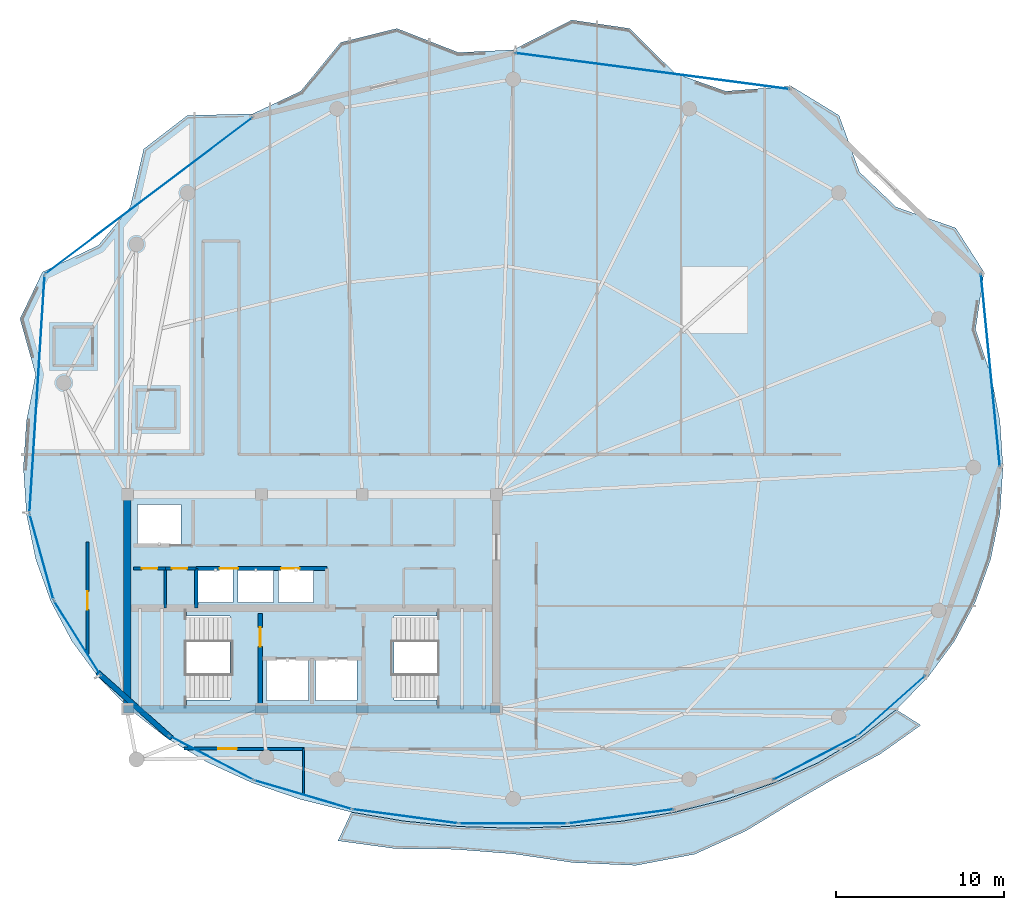
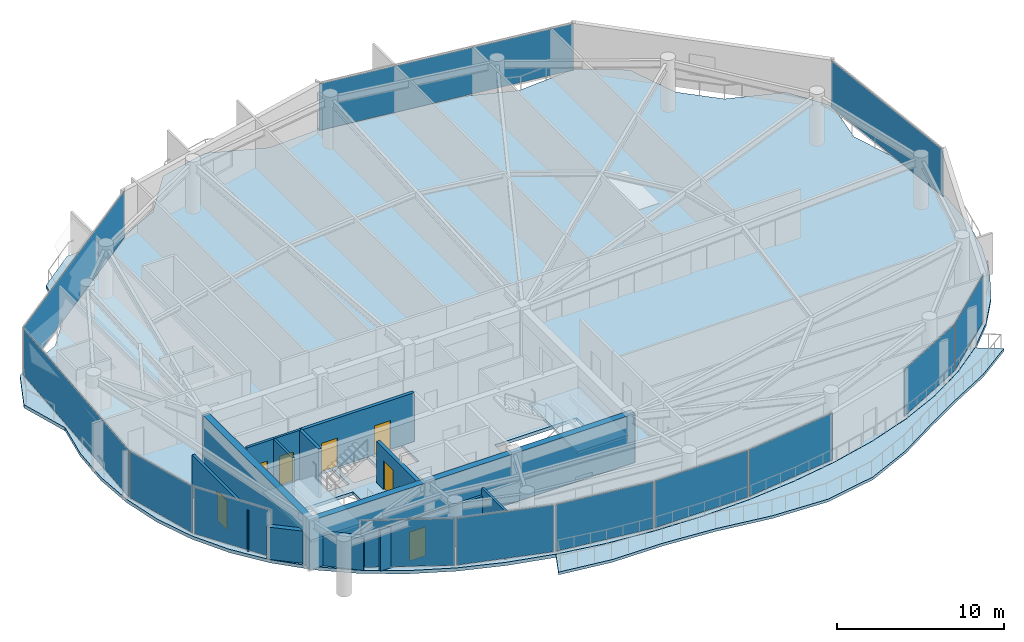
# One storey, part 24 of 30: 13 plates, 12 walls, 7 doors, 4 slabs, 7 openings, 15 elements without a shape of their own.
"""IFC4 building model written with IfcOpenShell, lengths in metres."""

from ifc_helpers import new_model, si_unit, direction, frame, frame_2d, origin, origin_2d, place, context, subcontext, project, spatial, polyline, rectangle, outline, extrude, material, layer, layer_set, type_object, element, fill, aggregate, save


model = new_model("IFC4")

# Units and contexts
model_context = context("Model", 3, precision=1e-05, world=origin(), true_north=direction((0.0, 1.0)))
body_context = subcontext(model_context, "Body", "Model", "MODEL_VIEW")
ifc_project = project(units=[si_unit("LENGTHUNIT", "METRE"), si_unit("AREAUNIT", "SQUARE_METRE"), si_unit("VOLUMEUNIT", "CUBIC_METRE"), si_unit("PLANEANGLEUNIT", "RADIAN"), si_unit("MASSUNIT", "GRAM", prefix="KILO")], contexts=[model_context])

# Site, building, storey
site_placement = place(None, origin())
site = spatial("IfcSite", under=ifc_project, at=site_placement, CompositionType="ELEMENT")
building_placement = place(site_placement, origin())
building = spatial("IfcBuilding", under=site, at=building_placement, Name="Kazevale Care Tower and Concert Hall", CompositionType="ELEMENT")
storey_placement = place(building_placement, frame((0.0, 0.0, 258.60009765625)))
storey = spatial("IfcBuildingStorey", under=building, at=storey_placement, Name="L68", CompositionType="ELEMENT", Elevation=258.60009765625)

# Curtain wall, plate
ifc_material_1 = material(Name="Aluminium 6063-T6 and Low-E Glass", Category="aluminium")
ifc_layer_1 = layer(ifc_material_1, 0.179931640625)
ifc_layer_set_1 = layer_set([ifc_layer_1], Name="Aluminium 6063-T6 and Low-E Glass")
curtain_wall_type_1 = type_object("IfcCurtainWallType", Name="Waist & Upper Residential Curtain Wall CW-4", PredefinedType="NOTDEFINED", material=ifc_layer_set_1)
curtain_wall_1_placement = place(storey_placement, origin())
curtain_wall_1 = element("IfcCurtainWall", 1, at=curtain_wall_1_placement, inside=storey, type_object=curtain_wall_type_1, Name="cw:L68:f11", PredefinedType="NOTDEFINED")
ifc_material_2 = material(Name="Low-E Laminated Glass", Category="glass")
ifc_layer_2 = layer(ifc_material_2, 0.030029296875)
ifc_layer_set_2 = layer_set([ifc_layer_2], Name="Low-E Laminated Glass")
plate_type_1 = type_object("IfcPlateType", Name="CW-4 Low-E Glazing Panel 30mm", PredefinedType="CURTAIN_PANEL", material=ifc_layer_set_2)
plate_1_placement = place(storey_placement, frame((19.008544921875, 27.85205078125, 0.079833984375), z_axis=(0.0, 0.0, 1.0), x_axis=(-0.532074560711, 0.846697503152, 0.0)))
plate_1 = element("IfcPlate", 2, at=plate_1_placement, type_object=plate_type_1, Name="CW-4 panel 1.1", PredefinedType="CURTAIN_PANEL", context=body_context, shape_type="SweptSolid", body=[
    extrude(rectangle(XDim=5.119384765625, YDim=0.030029296875, at=origin_2d()), origin(), (0.0, 0.0, 1.0), 3.39990234375),
])
aggregate(curtain_wall_1, [plate_1])

curtain_wall_2_placement = place(storey_placement, origin())
curtain_wall_2 = element("IfcCurtainWall", 3, at=curtain_wall_2_placement, inside=storey, type_object=curtain_wall_type_1, Name="cw:L68:f12", PredefinedType="NOTDEFINED")
plate_2_placement = place(storey_placement, frame((16.883056640625, 32.67041015625, 0.079833984375), z_axis=(0.0, 0.0, 1.0), x_axis=(-0.268807011704, 0.963194056491, 0.0)))
plate_2 = element("IfcPlate", 4, at=plate_2_placement, type_object=plate_type_1, Name="CW-4 panel 1.1", PredefinedType="CURTAIN_PANEL", context=body_context, shape_type="SweptSolid", body=[
    extrude(rectangle(XDim=5.204345703125, YDim=0.030029296875, at=origin_2d()), origin(), (0.0, 0.0, 1.0), 3.39990234375),
])
aggregate(curtain_wall_2, [plate_2])

curtain_wall_3_placement = place(storey_placement, origin())
curtain_wall_3 = element("IfcCurtainWall", 5, at=curtain_wall_3_placement, inside=storey, type_object=curtain_wall_type_1, Name="cw:L68:f13", PredefinedType="NOTDEFINED")
plate_3_placement = place(storey_placement, frame((16.615966796875, 42.384521484375, 0.079833984375), z_axis=(0.0, 0.0, 1.0), x_axis=(0.063541484604, 0.997979198047, 0.0)))
plate_3 = element("IfcPlate", 6, at=plate_3_placement, type_object=plate_type_1, Name="CW-4 panel 1.1", PredefinedType="CURTAIN_PANEL", context=body_context, shape_type="SweptSolid", body=[
    extrude(rectangle(XDim=14.1298828125, YDim=0.030029296875, at=origin_2d()), origin(), (0.0, 0.0, 1.0), 3.39990234375),
])
aggregate(curtain_wall_3, [plate_3])

curtain_wall_4_placement = place(storey_placement, origin())
curtain_wall_4 = element("IfcCurtainWall", 7, at=curtain_wall_4_placement, inside=storey, type_object=curtain_wall_type_1, Name="cw:L68:f14", PredefinedType="NOTDEFINED")
plate_4_placement = place(storey_placement, frame((23.28857421875, 54.20947265625, 0.079833984375), z_axis=(0.0, 0.0, 1.0), x_axis=(0.798109382952, 0.602512583142, 0.0)))
plate_4 = element("IfcPlate", 8, at=plate_4_placement, type_object=plate_type_1, Name="CW-4 panel 1.1", PredefinedType="CURTAIN_PANEL", context=body_context, shape_type="SweptSolid", body=[
    extrude(rectangle(XDim=15.423095703125, YDim=0.030029296875, at=origin_2d()), origin(), (0.0, 0.0, 1.0), 3.39990234375),
])
aggregate(curtain_wall_4, [plate_4])

curtain_wall_5_placement = place(storey_placement, origin())
curtain_wall_5 = element("IfcCurtainWall", 9, at=curtain_wall_5_placement, inside=storey, type_object=curtain_wall_type_1, Name="cw:L68:f16", PredefinedType="NOTDEFINED")
plate_5_placement = place(storey_placement, frame((53.2880859375, 61.636474609375, 0.079833984375), z_axis=(0.0, 0.0, 1.0), x_axis=(0.99143626895, -0.130591441567, 0.0)))
plate_5 = element("IfcPlate", 10, at=plate_5_placement, type_object=plate_type_1, Name="CW-4 panel 1.1", PredefinedType="CURTAIN_PANEL", context=body_context, shape_type="SweptSolid", body=[
    extrude(rectangle(XDim=16.46435546875, YDim=0.030029296875, at=origin_2d()), origin(), (0.0, 0.0, 1.0), 3.39990234375),
])
aggregate(curtain_wall_5, [plate_5])

curtain_wall_6_placement = place(storey_placement, origin())
curtain_wall_6 = element("IfcCurtainWall", 11, at=curtain_wall_6_placement, inside=storey, type_object=curtain_wall_type_1, Name="cw:L68:f18", PredefinedType="NOTDEFINED")
plate_6_placement = place(storey_placement, frame((73.448486328125, 43.804443359375, 0.079833984375), z_axis=(0.0, 0.0, 1.0), x_axis=(0.097984308555, -0.995187959773, 0.0)))
plate_6 = element("IfcPlate", 12, at=plate_6_placement, type_object=plate_type_1, Name="CW-4 panel 1.1", PredefinedType="CURTAIN_PANEL", context=body_context, shape_type="SweptSolid", body=[
    extrude(rectangle(XDim=11.505126953125, YDim=0.030029296875, at=origin_2d()), origin(), (0.0, 0.0, 1.0), 3.39990234375),
])
aggregate(curtain_wall_6, [plate_6])

ifc_layer_3 = layer(ifc_material_1, 0.179931640625)
ifc_layer_set_3 = layer_set([ifc_layer_3], Name="Aluminium 6063-T6 and Low-E Glass")
curtain_wall_type_2 = type_object("IfcCurtainWallType", Name="Sheltered Concave Balcony Curtain Wall CW-5", PredefinedType="NOTDEFINED", material=ifc_layer_set_3)
curtain_wall_7_placement = place(storey_placement, origin())
curtain_wall_7 = element("IfcCurtainWall", 13, at=curtain_wall_7_placement, inside=storey, type_object=curtain_wall_type_2, Name="cw:L68:f02", PredefinedType="NOTDEFINED")
ifc_layer_4 = layer(ifc_material_2, 0.02587890625)
ifc_layer_set_4 = layer_set([ifc_layer_4], Name="Low-E Laminated Glass")
plate_type_2 = type_object("IfcPlateType", Name="CW-5 Low-E Glazing Panel 26mm", PredefinedType="CURTAIN_PANEL", material=ifc_layer_set_4)
plate_7_placement = place(storey_placement, frame((67.56640625, 23.819580078125, 0.07470703125), z_axis=(0.0, 0.0, 1.0), x_axis=(-0.747133834563, -0.664673629123, 0.0)))
plate_7 = element("IfcPlate", 14, at=plate_7_placement, type_object=plate_type_2, Name="CW-5 panel 1.1", PredefinedType="CURTAIN_PANEL", context=body_context, shape_type="SweptSolid", body=[
    extrude(rectangle(XDim=5.2587890625, YDim=0.02587890625, at=origin_2d()), origin(), (0.0, 0.0, 1.0), 3.409912109375),
])
aggregate(curtain_wall_7, [plate_7])

curtain_wall_8_placement = place(storey_placement, origin())
curtain_wall_8 = element("IfcCurtainWall", 15, at=curtain_wall_8_placement, inside=storey, type_object=curtain_wall_type_2, Name="cw:L68:f03", PredefinedType="NOTDEFINED")
plate_8_placement = place(storey_placement, frame((63.007568359375, 20.693603515625, 0.07470703125), z_axis=(0.0, 0.0, 1.0), x_axis=(-0.886002261972, -0.463680915912, 0.0)))
plate_8 = element("IfcPlate", 16, at=plate_8_placement, type_object=plate_type_2, Name="CW-5 panel 1.1", PredefinedType="CURTAIN_PANEL", context=body_context, shape_type="SweptSolid", body=[
    extrude(rectangle(XDim=5.580322265625, YDim=0.02587890625, at=origin_2d()), origin(), (0.0, 0.0, 1.0), 3.409912109375),
])
aggregate(curtain_wall_8, [plate_8])

curtain_wall_9_placement = place(storey_placement, origin())
curtain_wall_9 = element("IfcCurtainWall", 17, at=curtain_wall_9_placement, inside=storey, type_object=curtain_wall_type_2, Name="cw:L68:f05", PredefinedType="NOTDEFINED")
plate_9_placement = place(storey_placement, frame((51.4326171875, 17.20947265625, 0.07470703125), z_axis=(0.0, 0.0, 1.0), x_axis=(-0.991177380664, -0.132542069018, 0.0)))
plate_9 = element("IfcPlate", 18, at=plate_9_placement, type_object=plate_type_2, Name="CW-5 panel 1.1", PredefinedType="CURTAIN_PANEL", context=body_context, shape_type="SweptSolid", body=[
    extrude(rectangle(XDim=6.255615234375, YDim=0.02587890625, at=origin_2d()), origin(), (0.0, 0.0, 1.0), 3.409912109375),
])
aggregate(curtain_wall_9, [plate_9])

curtain_wall_10_placement = place(storey_placement, origin())
curtain_wall_10 = element("IfcCurtainWall", 19, at=curtain_wall_10_placement, inside=storey, type_object=curtain_wall_type_2, Name="cw:L68:f06", PredefinedType="NOTDEFINED")
plate_10_placement = place(storey_placement, frame((45.0, 16.784912109375, 0.07470703125), z_axis=(0.0, 0.0, 1.0), x_axis=(-1.0, 0.0, 0.0)))
plate_10 = element("IfcPlate", 20, at=plate_10_placement, type_object=plate_type_2, Name="CW-5 panel 1.1", PredefinedType="CURTAIN_PANEL", context=body_context, shape_type="SweptSolid", body=[
    extrude(rectangle(XDim=6.365966796875, YDim=0.02587890625, at=origin_2d()), origin(), (0.0, 0.0, 1.0), 3.409912109375),
])
aggregate(curtain_wall_10, [plate_10])

curtain_wall_11_placement = place(storey_placement, origin())
curtain_wall_11 = element("IfcCurtainWall", 21, at=curtain_wall_11_placement, inside=storey, type_object=curtain_wall_type_2, Name="cw:L68:f07", PredefinedType="NOTDEFINED")
plate_11_placement = place(storey_placement, frame((38.5673828125, 17.20947265625, 0.07470703125), z_axis=(0.0, 0.0, 1.0), x_axis=(-0.991177380664, 0.132542069018, 0.0)))
plate_11 = element("IfcPlate", 22, at=plate_11_placement, type_object=plate_type_2, Name="CW-5 panel 1.1", PredefinedType="CURTAIN_PANEL", context=body_context, shape_type="SweptSolid", body=[
    extrude(rectangle(XDim=6.255615234375, YDim=0.02587890625, at=origin_2d()), origin(), (0.0, 0.0, 1.0), 3.409912109375),
])
aggregate(curtain_wall_11, [plate_11])

curtain_wall_12_placement = place(storey_placement, origin())
curtain_wall_12 = element("IfcCurtainWall", 23, at=curtain_wall_12_placement, inside=storey, type_object=curtain_wall_type_2, Name="cw:L68:f08", PredefinedType="NOTDEFINED")
plate_12_placement = place(storey_placement, frame((32.4619140625, 18.49951171875, 0.07470703125), z_axis=(0.0, 0.0, 1.0), x_axis=(-0.959060133902, 0.283202506274, 0.0)))
plate_12 = element("IfcPlate", 24, at=plate_12_placement, type_object=plate_type_2, Name="CW-5 panel 1.1", PredefinedType="CURTAIN_PANEL", context=body_context, shape_type="SweptSolid", body=[
    extrude(rectangle(XDim=5.962158203125, YDim=0.02587890625, at=origin_2d()), origin(), (0.0, 0.0, 1.0), 3.409912109375),
])
aggregate(curtain_wall_12, [plate_12])

curtain_wall_13_placement = place(storey_placement, origin())
curtain_wall_13 = element("IfcCurtainWall", 25, at=curtain_wall_13_placement, inside=storey, type_object=curtain_wall_type_2, Name="cw:L68:f09", PredefinedType="NOTDEFINED")
plate_13_placement = place(storey_placement, frame((26.992431640625, 20.693603515625, 0.07470703125), z_axis=(0.0, 0.0, 1.0), x_axis=(-0.886002261972, 0.463680915912, 0.0)))
plate_13 = element("IfcPlate", 26, at=plate_13_placement, type_object=plate_type_2, Name="CW-5 panel 1.1", PredefinedType="CURTAIN_PANEL", context=body_context, shape_type="SweptSolid", body=[
    extrude(rectangle(XDim=5.580322265625, YDim=0.02587890625, at=origin_2d()), origin(), (0.0, 0.0, 1.0), 3.409912109375),
])
aggregate(curtain_wall_13, [plate_13])

# Slab
ifc_material_3 = material(Name="Concrete C40", Category="concrete")
ifc_layer_5 = layer(ifc_material_3, 0.199951171875)
ifc_layer_set_5 = layer_set([ifc_layer_5], Name="Concrete C40")
slab_type_1 = type_object("IfcSlabType", Name="Sinusoidal Concave Balcony Slab 200", PredefinedType="USERDEFINED", material=ifc_layer_set_5)
slab_1_placement = place(storey_placement, frame((0.0, 0.0, -0.2001953125)))
element("IfcSlab", 27, at=slab_1_placement, inside=storey, type_object=slab_type_1, Name="slab:L68:bal", ObjectType="BALCONY", PredefinedType="USERDEFINED", context=body_context, shape_type="SweptSolid", body=[
    extrude(outline(polyline([(69.298828125, 22.640380859375), (66.871826171875, 20.916748046875), (64.177490234375, 19.477294921875), (61.552001953125, 17.966552734375), (58.870361328125, 16.33740234375), (55.821044921875, 14.9501953125), (52.3115234375, 14.283203125), (48.599365234375, 14.446044921875), (45.0, 14.97119140625), (41.5224609375, 15.243408203125), (37.995849609375, 15.2802734375), (34.554443359375, 15.75), (35.353759765625, 17.45263671875), (35.35498046875, 17.452392578125), (38.501708984375, 16.918212890625), (41.730224609375, 16.6005859375), (45.0, 16.4951171875), (48.269775390625, 16.6005859375), (51.498291015625, 16.918212890625), (54.64501953125, 17.452392578125), (57.6708984375, 18.208251953125), (60.537109375, 19.192626953125), (63.208251953125, 20.411376953125), (65.650390625, 21.868896484375), (67.832763671875, 23.5654296875), (67.833740234375, 23.56640625), (69.298828125, 22.640380859375)])), origin(), (0.0, 0.0, 1.0), 0.2001953125),
])

# Stair, slab
stair_type = type_object("IfcStairType", Name="Exit Stair Assembly ST1-U", PredefinedType="HALF_TURN_STAIR", material=ifc_material_3)
stair_1_placement = place(storey_placement, origin())
stair_1 = element("IfcStair", 28, at=stair_1_placement, inside=storey, type_object=stair_type, Name="stair:L68:ST1", PredefinedType="HALF_TURN_STAIR")
ifc_layer_6 = layer(ifc_material_3, 0.199951171875)
ifc_layer_set_6 = layer_set([ifc_layer_6], Name="Concrete C40")
slab_type_2 = type_object("IfcSlabType", Name="Stair Half-Landing Slab ST1-U", PredefinedType="LANDING", material=ifc_layer_set_6)
slab_2_placement = place(storey_placement, frame((0.0, 0.0, 1.699951171875)))
slab_2 = element("IfcSlab", 29, at=slab_2_placement, type_object=slab_type_2, Name="ST1-U landing 1", PredefinedType="LANDING", context=body_context, shape_type="SweptSolid", body=[
    extrude(outline(polyline([(22.050048828125, 23.699951171875), (25.530029296875, 23.699951171875), (25.530029296875, 29.5), (22.050048828125, 29.5), (22.050048828125, 23.699951171875)])), origin(), (0.0, 0.0, 1.0), 0.199951171875),
])
aggregate(stair_1, [slab_2])

stair_2_placement = place(storey_placement, origin())
stair_2 = element("IfcStair", 30, at=stair_2_placement, inside=storey, type_object=stair_type, Name="stair:L68:ST2", PredefinedType="HALF_TURN_STAIR")
slab_3_placement = place(storey_placement, frame((0.0, 0.0, 1.699951171875)))
slab_3 = element("IfcSlab", 31, at=slab_3_placement, type_object=slab_type_2, Name="ST1-U landing 1", PredefinedType="LANDING", context=body_context, shape_type="SweptSolid", body=[
    extrude(outline(polyline([(40.469970703125, 23.699951171875), (43.949951171875, 23.699951171875), (43.949951171875, 29.5), (40.469970703125, 29.5), (40.469970703125, 23.699951171875)])), origin(), (0.0, 0.0, 1.0), 0.199951171875),
])
aggregate(stair_2, [slab_3])

# Slab
ifc_layer_7 = layer(ifc_material_3, 0.239990234375)
ifc_layer_set_7 = layer_set([ifc_layer_7], Name="Concrete C40")
slab_type_3 = type_object("IfcSlabType", Name="Tower Typical Floor Slab 240", PredefinedType="FLOOR", material=ifc_layer_set_7)
slab_4_placement = place(storey_placement, frame((0.0, 0.0, -0.239990234375)))
element("IfcSlab", 32, at=slab_4_placement, inside=storey, type_object=slab_type_3, Name="slab:L68:tw:1", PredefinedType="FLOOR", context=body_context, shape_type="SweptSolid", body=[
    extrude(outline(polyline([(74.199951171875, 38.0), (74.016357421875, 40.787841796875), (73.468017578125, 43.540771484375), (72.561279296875, 46.223876953125), (73.065185546875, 49.64990234375), (71.37548828125, 52.28515625), (67.82958984375, 53.52490234375), (65.6474609375, 55.60693359375), (64.421630859375, 58.9921875), (61.57275390625, 60.734619140625), (57.66943359375, 60.43408203125), (54.64404296875, 61.502685546875), (51.931396484375, 64.1767578125), (48.48779296875, 64.68115234375), (45.0, 62.89990234375), (41.730712890625, 62.743408203125), (38.068603515625, 64.1767578125), (34.7119140625, 63.34326171875), (32.33056640625, 60.43408203125), (29.464599609375, 59.08349609375), (25.578369140625, 58.9921875), (22.9736328125, 56.98583984375), (22.17041015625, 53.52490234375), (20.275634765625, 51.24755859375), (16.934814453125, 49.64990234375), (15.597900390625, 46.867919921875), (16.531982421875, 43.540771484375), (15.983642578125, 40.787841796875), (15.800048828125, 38.0), (15.983642578125, 35.229736328125), (16.531982421875, 32.551513671875), (17.438720703125, 30.01416015625), (18.691650390625, 27.654541015625), (20.275634765625, 25.5), (22.17041015625, 23.569091796875), (24.3525390625, 21.873046875), (26.794189453125, 20.415771484375), (29.464599609375, 19.197265625), (32.33056640625, 18.212890625), (35.35595703125, 17.457275390625), (38.50244140625, 16.92333984375), (41.730712890625, 16.60546875), (45.0, 16.5), (48.269287109375, 16.60546875), (51.49755859375, 16.92333984375), (54.64404296875, 17.457275390625), (57.66943359375, 18.212890625), (60.535400390625, 19.197265625), (63.205810546875, 20.415771484375), (65.6474609375, 21.873046875), (67.82958984375, 23.569091796875), (69.724365234375, 25.5), (71.308349609375, 27.654541015625), (72.561279296875, 30.01416015625), (73.468017578125, 32.551513671875), (74.016357421875, 35.229736328125), (74.199951171875, 38.0)]), holes=[polyline([(22.449951171875, 24.14990234375), (28.110107421875, 24.14990234375), (28.110107421875, 29.14990234375), (22.449951171875, 29.14990234375), (22.449951171875, 24.14990234375)]), polyline([(37.889892578125, 24.14990234375), (43.550048828125, 24.14990234375), (43.550048828125, 29.14990234375), (37.889892578125, 29.14990234375), (37.889892578125, 24.14990234375)]), polyline([(30.300048828125, 24.10009765625), (32.800048828125, 24.10009765625), (32.800048828125, 26.60009765625), (30.300048828125, 26.60009765625), (30.300048828125, 24.10009765625)]), polyline([(33.199951171875, 24.10009765625), (35.699951171875, 24.10009765625), (35.699951171875, 26.60009765625), (33.199951171875, 26.60009765625), (33.199951171875, 24.10009765625)]), polyline([(22.60009765625, 33.39990234375), (25.199951171875, 33.39990234375), (25.199951171875, 35.800048828125), (22.60009765625, 35.800048828125), (22.60009765625, 33.39990234375)]), polyline([(26.199951171875, 29.949951171875), (28.300048828125, 29.949951171875), (28.300048828125, 31.949951171875), (26.199951171875, 31.949951171875), (26.199951171875, 29.949951171875)]), polyline([(28.60009765625, 29.949951171875), (30.699951171875, 29.949951171875), (30.699951171875, 31.949951171875), (28.60009765625, 31.949951171875), (28.60009765625, 29.949951171875)]), polyline([(31.0, 29.949951171875), (33.10009765625, 29.949951171875), (33.10009765625, 31.949951171875), (31.0, 31.949951171875), (31.0, 29.949951171875)])]), origin(), (0.0, 0.0, 1.0), 0.239990234375),
])

# Walls
ifc_material_4 = material(Name="Acoustic Gypsum on Steel Stud", Category="steel")
ifc_layer_8 = layer(ifc_material_4, 0.139892578125)
ifc_layer_set_8 = layer_set([ifc_layer_8], Name="Acoustic Gypsum on Steel Stud")
wall_type_1 = type_object("IfcWallType", Name="Acoustic Care & Suite Partition 140", PredefinedType="PARTITIONING", material=ifc_layer_set_8)
wall_1_placement = place(storey_placement, frame((32.5, 21.2548828125, 0.0), z_axis=(0.0, 0.0, 1.0), x_axis=(0.0, -1.0, 0.0)))
element("IfcWall", 33, at=wall_1_placement, inside=storey, type_object=wall_type_1, Name="wall:L68:auto_035", PredefinedType="PARTITIONING", context=body_context, shape_type="SweptSolid", body=[
    extrude(rectangle(XDim=2.756591796875, YDim=0.139892578125, at=frame_2d((1.37841796875, 0.0))), origin(), (0.0, 0.0, 1.0), 3.559814453125),
])
ifc_material_5 = material(Name="Concrete C50", Category="concrete")
ifc_layer_9 = layer(ifc_material_5, 0.449951171875)
ifc_layer_set_9 = layer_set([ifc_layer_9], Name="Concrete C50")
wall_type_2 = type_object("IfcWallType", Name="Core Shear Wall 450 C50", PredefinedType="SHEAR", material=ifc_layer_set_9)
wall_2_placement = place(storey_placement, frame((21.77490234375, 23.60009765625, 0.0), z_axis=(0.0, 0.0, 1.0), x_axis=(1.0, 0.0, 0.0)))
element("IfcWall", 34, at=wall_2_placement, inside=storey, type_object=wall_type_2, Name="wall:L68:core:S", PredefinedType="SHEAR", context=body_context, shape_type="SweptSolid", body=[
    extrude(rectangle(XDim=22.4501953125, YDim=0.449951171875, at=frame_2d((11.22509765625, 0.0))), origin(), (0.0, 0.0, 1.0), 3.559814453125),
])
wall_3_placement = place(storey_placement, frame((22.0, 23.824951171875, 0.0), z_axis=(0.0, 0.0, 1.0), x_axis=(0.0, 1.0, 0.0)))
element("IfcWall", 35, at=wall_3_placement, inside=storey, type_object=wall_type_2, Name="wall:L68:core:W", PredefinedType="SHEAR", context=body_context, shape_type="SweptSolid", body=[
    extrude(rectangle(XDim=12.35009765625, YDim=0.449951171875, at=frame_2d((6.175048828125, 0.0))), origin(), (0.0, 0.0, 1.0), 3.559814453125),
])
ifc_layer_10 = layer(ifc_material_3, 0.219970703125)
ifc_layer_set_10 = layer_set([ifc_layer_10], Name="Concrete C40")
wall_type_3 = type_object("IfcWallType", Name="Elevator Hoistway Shaft Wall 220", PredefinedType="SOLIDWALL", material=ifc_layer_set_10)
wall_4_placement = place(storey_placement, frame((26.10009765625, 29.6201171875, 0.0), z_axis=(0.0, 0.0, 1.0), x_axis=(0.0, 1.0, 0.0)))
element("IfcWall", 36, at=wall_4_placement, inside=storey, type_object=wall_type_3, Name="wall:L68:c_ph_w", PredefinedType="SOLIDWALL", context=body_context, shape_type="SweptSolid", body=[
    extrude(rectangle(XDim=2.35986328125, YDim=0.219970703125, at=frame_2d((1.179931640625, 0.0))), origin(), (0.0, 0.0, 1.0), 3.559814453125),
])

# Wall, openings, doors
wall_5_placement = place(storey_placement, frame((26.10009765625, 31.97998046875, 0.0), z_axis=(0.0, 0.0, 1.0), x_axis=(1.0, 0.0, 0.0)))
wall_5 = element("IfcWall", 37, at=wall_5_placement, inside=storey, type_object=wall_type_3, Name="wall:L68:c_ph_n", PredefinedType="SOLIDWALL", context=body_context, shape_type="SweptSolid", body=[
    extrude(rectangle(XDim=7.7998046875, YDim=0.219970703125, at=frame_2d((3.89990234375, 0.0))), origin(), (0.0, 0.0, 1.0), 3.559814453125),
])
opening_1_placement = place(wall_5_placement, frame((1.39990234375, 0.0, 0.0)))
opening_1 = element("IfcOpeningElement", 38, at=opening_1_placement, cuts=wall_5, Name="Opening LD-PAX", PredefinedType="OPENING", context=body_context, shape_type="SweptSolid", body=[
    extrude(rectangle(XDim=1.10009765625, YDim=2.10009765625, at=frame_2d((0.550048828125, 1.050048828125))), frame((0.0, 0.119873046875, 0.0), z_axis=(0.0, -1.0, 0.0), x_axis=(1.0, 0.0, 0.0)), (0.0, 0.0, 1.0), 0.239990234375),
])
opening_2_placement = place(wall_5_placement, frame((5.06591796875, 0.0, 0.0)))
opening_2 = element("IfcOpeningElement", 39, at=opening_2_placement, cuts=wall_5, Name="Opening LD-PAX", PredefinedType="OPENING", context=body_context, shape_type="SweptSolid", body=[
    extrude(rectangle(XDim=1.10009765625, YDim=2.10009765625, at=frame_2d((0.550048828125, 1.050048828125))), frame((0.0, 0.119873046875, 0.0), z_axis=(0.0, -1.0, 0.0), x_axis=(1.0, 0.0, 0.0)), (0.0, 0.0, 1.0), 0.239990234375),
])
ifc_material_6 = material(Name="Stainless Steel 316", Category="steel")
door_type_1 = type_object("IfcDoorType", Name="Passenger Lift Sliding Landing Door 1100x2100", OperationType="NOTDEFINED", PredefinedType="DOOR", material=ifc_material_6)
door_1_placement = place(opening_1_placement, origin())
door_1 = element("IfcDoor", 40, at=door_1_placement, inside=storey, type_object=door_type_1, Name="door:L68:ld_ph1", OperationType="SLIDING_TO_LEFT", OverallHeight=2.10009765625, OverallWidth=1.10009765625, PredefinedType="DOOR", context=body_context, shape_type="SweptSolid", body=[
    extrude(rectangle(XDim=1.10009765625, YDim=2.10009765625, at=frame_2d((0.550048828125, 1.050048828125))), frame((0.0, 0.02490234375, 0.0), z_axis=(0.0, -1.0, 0.0), x_axis=(1.0, 0.0, 0.0)), (0.0, 0.0, 1.0), 0.050048828125),
])
fill(opening_1, door_1)
door_2_placement = place(opening_2_placement, origin())
door_2 = element("IfcDoor", 41, at=door_2_placement, inside=storey, type_object=door_type_1, Name="door:L68:ld_ph2", OperationType="SLIDING_TO_RIGHT", OverallHeight=2.10009765625, OverallWidth=1.10009765625, PredefinedType="DOOR", context=body_context, shape_type="SweptSolid", body=[
    extrude(rectangle(XDim=1.10009765625, YDim=2.10009765625, at=frame_2d((0.550048828125, 1.050048828125))), frame((0.0, 0.02490234375, 0.0), z_axis=(0.0, -1.0, 0.0), x_axis=(1.0, 0.0, 0.0)), (0.0, 0.0, 1.0), 0.050048828125),
])
fill(opening_2, door_2)

# Wall, opening, door
ifc_material_7 = material(Name="Concrete C40 and Acoustic Gypsum", Category="concrete")
ifc_layer_11 = layer(ifc_material_7, 0.179931640625)
ifc_layer_set_11 = layer_set([ifc_layer_11], Name="Concrete C40 and Acoustic Gypsum")
wall_type_4 = type_object("IfcWallType", Name="Fire-Rated Corridor & Party Wall 180", PredefinedType="PARTITIONING", material=ifc_layer_set_11)
wall_6_placement = place(storey_placement, frame((22.35009765625, 31.97998046875, 0.0), z_axis=(0.0, 0.0, 1.0), x_axis=(1.0, 0.0, 0.0)))
wall_6 = element("IfcWall", 42, at=wall_6_placement, inside=storey, type_object=wall_type_4, Name="wall:L68:kb_wn0", PredefinedType="PARTITIONING", context=body_context, shape_type="SweptSolid", body=[
    extrude(rectangle(XDim=1.909912109375, YDim=0.179931640625, at=frame_2d((0.955078125, 0.0))), origin(), (0.0, 0.0, 1.0), 3.559814453125),
])
opening_3_placement = place(wall_6_placement, frame((0.514892578125, 0.0, 0.0)))
opening_3 = element("IfcOpeningElement", 43, at=opening_3_placement, cuts=wall_6, Name="Opening ID-900", PredefinedType="OPENING", context=body_context, shape_type="SweptSolid", body=[
    extrude(rectangle(XDim=0.919921875, YDim=2.10009765625, at=frame_2d((0.4599609375, 1.050048828125))), frame((0.0, 0.099853515625, 0.0), z_axis=(0.0, -1.0, 0.0), x_axis=(1.0, 0.0, 0.0)), (0.0, 0.0, 1.0), 0.199951171875),
])
ifc_material_8 = material(Name="Oak Timber Fire Leaf", Category="wood")
door_type_2 = type_object("IfcDoorType", Name="Bathroom & Service Door 920x2100", OperationType="NOTDEFINED", PredefinedType="DOOR", material=ifc_material_8)
door_3_placement = place(opening_3_placement, origin())
door_3 = element("IfcDoor", 44, at=door_3_placement, inside=storey, type_object=door_type_2, Name="door:L68:d_kbw1", OperationType="SINGLE_SWING_LEFT", OverallHeight=2.10009765625, OverallWidth=0.919921875, PredefinedType="DOOR", context=body_context, shape_type="SweptSolid", body=[
    extrude(rectangle(XDim=0.919921875, YDim=2.10009765625, at=frame_2d((0.4599609375, 1.050048828125))), frame((0.0, 0.02490234375, 0.0), z_axis=(0.0, -1.0, 0.0), x_axis=(1.0, 0.0, 0.0)), (0.0, 0.0, 1.0), 0.050048828125),
])
fill(opening_3, door_3)

wall_7_placement = place(storey_placement, frame((32.56494140625, 21.22509765625, 0.0), z_axis=(0.0, 0.0, 1.0), x_axis=(-0.999996578231, 0.002616013336, 0.0)))
wall_7 = element("IfcWall", 45, at=wall_7_placement, inside=storey, type_object=wall_type_4, Name="wall:L68:auto_019", PredefinedType="PARTITIONING", context=body_context, shape_type="SweptSolid", body=[
    extrude(rectangle(XDim=7.18603515625, YDim=0.179931640625, at=frame_2d((3.593017578125, 0.0))), origin(), (0.0, 0.0, 1.0), 3.016845703125),
])
opening_4_placement = place(wall_7_placement, frame((4.04296875, 0.0, 0.0)))
opening_4 = element("IfcOpeningElement", 46, at=opening_4_placement, cuts=wall_7, Name="Opening ID-1100", PredefinedType="OPENING", context=body_context, shape_type="SweptSolid", body=[
    extrude(rectangle(XDim=1.10009765625, YDim=2.10009765625, at=frame_2d((0.550048828125, 1.050048828125))), frame((0.0, 0.099853515625, 0.0), z_axis=(0.0, -1.0, 0.0), x_axis=(1.0, 0.0, 0.0)), (0.0, 0.0, 1.0), 0.199951171875),
])
door_type_3 = type_object("IfcDoorType", Name="Care Bedroom Accessible Door 1100x2100", OperationType="NOTDEFINED", PredefinedType="DOOR", material=ifc_material_8)
door_4_placement = place(opening_4_placement, origin())
door_4 = element("IfcDoor", 47, at=door_4_placement, inside=storey, type_object=door_type_3, Name="door:L68:ad_019", OperationType="SINGLE_SWING_LEFT", OverallHeight=2.10009765625, OverallWidth=1.10009765625, PredefinedType="DOOR", context=body_context, shape_type="SweptSolid", body=[
    extrude(rectangle(XDim=1.10009765625, YDim=2.10009765625, at=frame_2d((0.550048828125, 1.050048828125))), frame((0.0, 0.02490234375, 0.0), z_axis=(0.0, -1.0, 0.0), x_axis=(1.0, 0.0, 0.0)), (0.0, 0.0, 1.0), 0.050048828125),
])
fill(opening_4, door_4)

wall_8_placement = place(storey_placement, frame((19.625, 26.881103515625, 0.0), z_axis=(0.0, 0.0, 1.0), x_axis=(0.0, 1.0, 0.0)))
wall_8 = element("IfcWall", 48, at=wall_8_placement, inside=storey, type_object=wall_type_4, Name="wall:L68:auto_021", PredefinedType="PARTITIONING", context=body_context, shape_type="SweptSolid", body=[
    extrude(rectangle(XDim=6.683837890625, YDim=0.179931640625, at=frame_2d((3.341796875, 0.0))), origin(), (0.0, 0.0, 1.0), 3.016845703125),
])
opening_5_placement = place(wall_8_placement, frame((2.64404296875, 0.0, 0.0)))
opening_5 = element("IfcOpeningElement", 49, at=opening_5_placement, cuts=wall_8, Name="Opening ID-1100", PredefinedType="OPENING", context=body_context, shape_type="SweptSolid", body=[
    extrude(rectangle(XDim=1.10009765625, YDim=2.10009765625, at=frame_2d((0.550048828125, 1.050048828125))), frame((0.0, 0.099853515625, 0.0), z_axis=(0.0, -1.0, 0.0), x_axis=(1.0, 0.0, 0.0)), (0.0, 0.0, 1.0), 0.199951171875),
])
door_5_placement = place(opening_5_placement, origin())
door_5 = element("IfcDoor", 50, at=door_5_placement, inside=storey, type_object=door_type_3, Name="door:L68:ad_021", OperationType="SINGLE_SWING_LEFT", OverallHeight=2.10009765625, OverallWidth=1.10009765625, PredefinedType="DOOR", context=body_context, shape_type="SweptSolid", body=[
    extrude(rectangle(XDim=1.10009765625, YDim=2.10009765625, at=frame_2d((0.550048828125, 1.050048828125))), frame((0.0, 0.02490234375, 0.0), z_axis=(0.0, -1.0, 0.0), x_axis=(1.0, 0.0, 0.0)), (0.0, 0.0, 1.0), 0.050048828125),
])
fill(opening_5, door_5)

# Wall
ifc_layer_12 = layer(ifc_material_4, 0.159912109375)
ifc_layer_set_12 = layer_set([ifc_layer_12], Name="Acoustic Gypsum on Steel Stud")
wall_type_5 = type_object("IfcWallType", Name="Moisture-Resistant Bathroom Plumbing Wall 160", PredefinedType="PLUMBINGWALL", material=ifc_layer_set_12)
wall_9_placement = place(storey_placement, frame((24.260009765625, 29.6201171875, 0.0), z_axis=(0.0, 0.0, 1.0), x_axis=(0.0, 1.0, 0.0)))
element("IfcWall", 51, at=wall_9_placement, inside=storey, type_object=wall_type_5, Name="wall:L68:kb_we1", PredefinedType="PLUMBINGWALL", context=body_context, shape_type="SweptSolid", body=[
    extrude(rectangle(XDim=2.35986328125, YDim=0.159912109375, at=frame_2d((1.179931640625, 0.0))), origin(), (0.0, 0.0, 1.0), 3.559814453125),
])

# Wall, opening, door
wall_10_placement = place(storey_placement, frame((24.260009765625, 31.97998046875, 0.0), z_axis=(0.0, 0.0, 1.0), x_axis=(1.0, 0.0, 0.0)))
wall_10 = element("IfcWall", 52, at=wall_10_placement, inside=storey, type_object=wall_type_5, Name="wall:L68:kb_wn1", PredefinedType="PLUMBINGWALL", context=body_context, shape_type="SweptSolid", body=[
    extrude(rectangle(XDim=1.840087890625, YDim=0.159912109375, at=frame_2d((0.919921875, 0.0))), origin(), (0.0, 0.0, 1.0), 3.559814453125),
])
opening_6_placement = place(wall_10_placement, frame((0.387939453125, 0.0, 0.0)))
opening_6 = element("IfcOpeningElement", 53, at=opening_6_placement, cuts=wall_10, Name="Opening ID-900", PredefinedType="OPENING", context=body_context, shape_type="SweptSolid", body=[
    extrude(rectangle(XDim=0.919921875, YDim=2.10009765625, at=frame_2d((0.4599609375, 1.050048828125))), frame((0.0, 0.08984375, 0.0), z_axis=(0.0, -1.0, 0.0), x_axis=(1.0, 0.0, 0.0)), (0.0, 0.0, 1.0), 0.179931640625),
])
door_6_placement = place(opening_6_placement, origin())
door_6 = element("IfcDoor", 54, at=door_6_placement, inside=storey, type_object=door_type_2, Name="door:L68:d_kbw2", OperationType="SINGLE_SWING_RIGHT", OverallHeight=2.10009765625, OverallWidth=0.919921875, PredefinedType="DOOR", context=body_context, shape_type="SweptSolid", body=[
    extrude(rectangle(XDim=0.919921875, YDim=2.10009765625, at=frame_2d((0.4599609375, 1.050048828125))), frame((0.0, 0.02490234375, 0.0), z_axis=(0.0, -1.0, 0.0), x_axis=(1.0, 0.0, 0.0)), (0.0, 0.0, 1.0), 0.050048828125),
])
fill(opening_6, door_6)

ifc_layer_13 = layer(ifc_material_3, 0.25)
ifc_layer_set_13 = layer_set([ifc_layer_13], Name="Concrete C40")
wall_type_6 = type_object("IfcWallType", Name="Pressurized Stair Shaft Wall 250", PredefinedType="SOLIDWALL", material=ifc_layer_set_13)
wall_11_placement = place(storey_placement, frame((29.919921875, 23.89990234375, 0.0), z_axis=(0.0, 0.0, 1.0), x_axis=(0.0, 1.0, 0.0)))
wall_11 = element("IfcWall", 55, at=wall_11_placement, inside=storey, type_object=wall_type_6, Name="wall:L68:c_st1_e", PredefinedType="SOLIDWALL", context=body_context, shape_type="SweptSolid", body=[
    extrude(rectangle(XDim=5.400146484375, YDim=0.25, at=frame_2d((2.7001953125, 0.0))), origin(), (0.0, 0.0, 1.0), 3.005859375),
])
opening_7_placement = place(wall_11_placement, frame((3.4208984375, 0.0, 0.0)))
opening_7 = element("IfcOpeningElement", 56, at=opening_7_placement, cuts=wall_11, Name="Opening FD-90", PredefinedType="OPENING", context=body_context, shape_type="SweptSolid", body=[
    extrude(rectangle(XDim=1.14990234375, YDim=2.10009765625, at=frame_2d((0.574951171875, 1.050048828125))), frame((0.0, 0.135009765625, 0.0), z_axis=(0.0, -1.0, 0.0), x_axis=(1.0, 0.0, 0.0)), (0.0, 0.0, 1.0), 0.27001953125),
])
ifc_material_9 = material(Name="Steel ASTM A572 Gr 50", Category="steel")
door_type_4 = type_object("IfcDoorType", Name="Pressurized Stair & Lobby Fire Door 1150x2100", OperationType="NOTDEFINED", PredefinedType="DOOR", material=ifc_material_9)
door_7_placement = place(opening_7_placement, origin())
door_7 = element("IfcDoor", 57, at=door_7_placement, inside=storey, type_object=door_type_4, Name="door:L68:st1", OperationType="SINGLE_SWING_RIGHT", OverallHeight=2.10009765625, OverallWidth=1.14990234375, PredefinedType="DOOR", context=body_context, shape_type="SweptSolid", body=[
    extrude(rectangle(XDim=1.14990234375, YDim=2.10009765625, at=frame_2d((0.574951171875, 1.050048828125))), frame((0.0, 0.02490234375, 0.0), z_axis=(0.0, -1.0, 0.0), x_axis=(1.0, 0.0, 0.0)), (0.0, 0.0, 1.0), 0.050048828125),
])
fill(opening_7, door_7)

# Wall
ifc_material_10 = material(Name="Concrete C40 with Honed Limestone Cladding", Category="masonry")
ifc_layer_14 = layer(ifc_material_10, 0.320068359375)
ifc_layer_set_14 = layer_set([ifc_layer_14], Name="Concrete C40 with Honed Limestone Cladding")
wall_type_7 = type_object("IfcWallType", Name="Tower Honed Limestone Spandrel Wall 320", PredefinedType="STANDARD", material=ifc_layer_set_14)
wall_12_placement = place(storey_placement, frame((24.64794921875, 21.84912109375, 0.0), z_axis=(0.0, 0.0, 1.0), x_axis=(-0.747068410291, 0.664747162721, 0.0)))
element("IfcWall", 58, at=wall_12_placement, inside=storey, type_object=wall_type_7, Name="wall:cw:L68:f10", PredefinedType="STANDARD", context=body_context, shape_type="SweptSolid", body=[
    extrude(rectangle(XDim=5.928466796875, YDim=0.320068359375, at=frame_2d((2.96435546875, 0.0))), origin(), (0.0, 0.0, 1.0), 2.349853515625),
])

save(model, "model.ifc")
